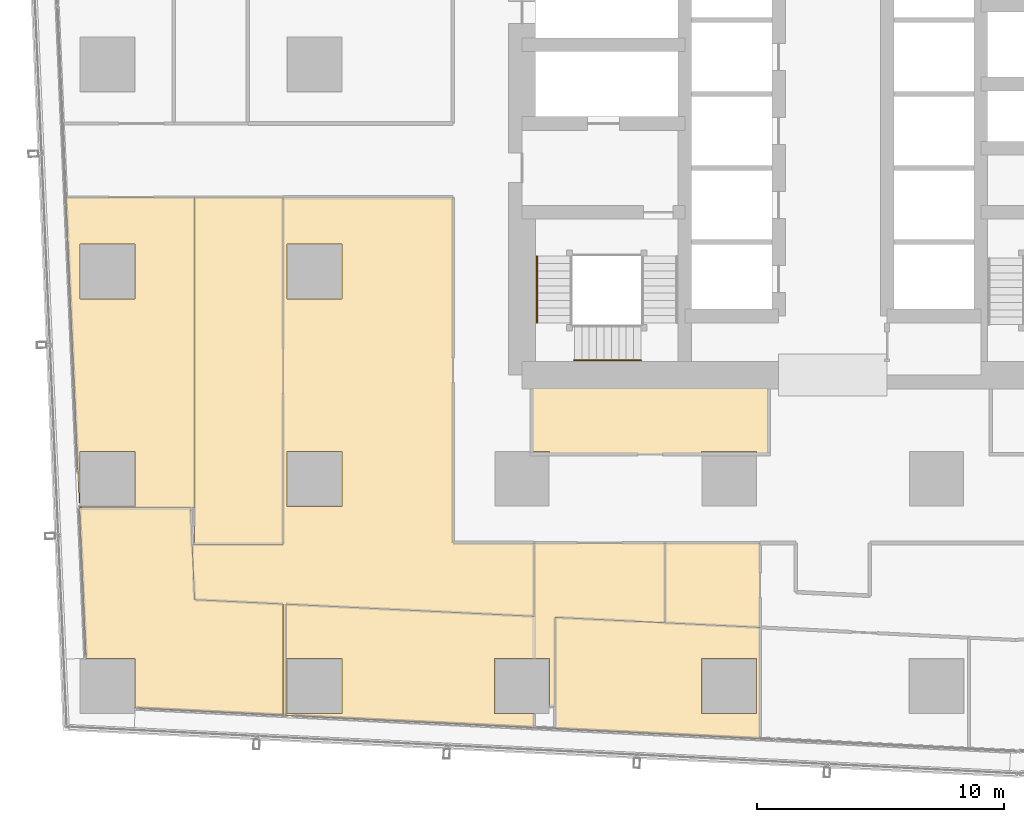
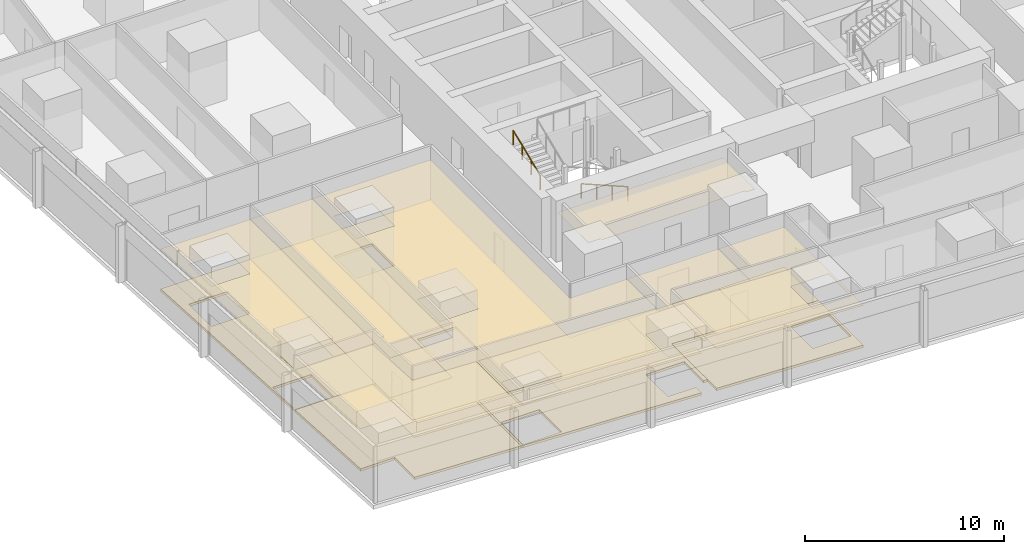
# One storey, part 37 of 45: 15 coverings, 2 railings.
"""IFC4 building model written with IfcOpenShell, lengths in metres."""

from ifc_helpers import new_model, si_unit, direction, frame, origin, origin_2d, place, context, subcontext, project, spatial, polyline, circle, outline, extrude, material, layer, layer_set, type_object, element, save


model = new_model("IFC4")

# Units and contexts
model_context = context("Model", 3, precision=1e-05, world=origin(), true_north=direction((0.0, 1.0)))
body_context = subcontext(model_context, "Body", "Model", "MODEL_VIEW")
ifc_project = project(units=[si_unit("LENGTHUNIT", "METRE"), si_unit("AREAUNIT", "SQUARE_METRE"), si_unit("VOLUMEUNIT", "CUBIC_METRE"), si_unit("PLANEANGLEUNIT", "RADIAN"), si_unit("MASSUNIT", "GRAM", prefix="KILO")], contexts=[model_context])

# Site, building, storey
site_placement = place(None, origin())
site = spatial("IfcSite", under=ifc_project, at=site_placement, CompositionType="ELEMENT")
building_placement = place(site_placement, origin())
building = spatial("IfcBuilding", under=site, at=building_placement, Name="Rekha Terrace Tower", CompositionType="ELEMENT")
storey_placement = place(building_placement, frame((0.0, 0.0, 32.89990234375)))
storey = spatial("IfcBuildingStorey", under=building, at=storey_placement, Name="L07", CompositionType="ELEMENT", Elevation=32.89990234375)

# Coverings
ifc_material_1 = material(Name="Mineral fibre tile in exposed grid", Category="finish")
ifc_layer_1 = layer(ifc_material_1, 0.02001953125)
ifc_layer_set_1 = layer_set([ifc_layer_1], Name="Mineral fibre tile in exposed grid")
covering_type_1 = type_object("IfcCoveringType", Name="CL1 600x1200 office grid ceiling", PredefinedType="CEILING", material=ifc_layer_set_1)
covering_1_placement = place(storey_placement, frame((0.0, 0.0, 2.580078125)))
element("IfcCovering", 1, at=covering_1_placement, inside=storey, type_object=covering_type_1, Name="Ceiling L07-06", PredefinedType="CEILING", context=body_context, shape_type="SweptSolid", body=[
    extrude(outline(polyline([(34.840087890625, 6.27392578125), (34.840087890625, 10.780029296875), (26.548095703125, 11.18701171875), (26.548095703125, 6.680908203125), (34.840087890625, 6.27392578125)]), holes=[polyline([(34.715087890625, 7.284912109375), (32.485107421875, 7.284912109375), (32.485107421875, 9.514892578125), (34.715087890625, 9.514892578125), (34.715087890625, 7.284912109375)])]), origin(), (0.0, 0.0, 1.0), 0.02001953125),
])
covering_2_placement = place(storey_placement, frame((0.0, 0.0, 2.580078125)))
element("IfcCovering", 2, at=covering_2_placement, inside=storey, type_object=covering_type_1, Name="Ceiling L07-07", PredefinedType="CEILING", context=body_context, shape_type="SweptSolid", body=[
    extrude(outline(polyline([(25.697021484375, 14.199951171875), (25.697021484375, 11.22900390625), (15.64306640625, 11.721923828125), (15.64306640625, 7.217041015625), (25.696044921875, 6.722900390625), (25.696044921875, 7.284912109375), (24.0849609375, 7.284912109375), (24.0849609375, 9.514892578125), (26.31494140625, 9.514892578125), (26.31494140625, 7.583984375), (26.548095703125, 7.583984375), (26.548095703125, 11.18701171875), (31.0, 10.968017578125), (31.0, 14.199951171875), (25.697021484375, 14.199951171875)]), holes=[polyline([(17.9150390625, 7.284912109375), (15.68505859375, 7.284912109375), (15.68505859375, 9.514892578125), (17.9150390625, 9.514892578125), (17.9150390625, 7.284912109375)])]), origin(), (0.0, 0.0, 1.0), 0.02001953125),
])
covering_3_placement = place(storey_placement, frame((0.0, 0.0, 2.580078125)))
element("IfcCovering", 3, at=covering_3_placement, inside=storey, type_object=covering_type_1, Name="Ceiling L07-08", PredefinedType="CEILING", context=body_context, shape_type="SweptSolid", body=[
    extrude(outline(polyline([(34.840087890625, 10.780029296875), (34.840087890625, 14.199951171875), (31.0, 14.199951171875), (31.0, 10.968017578125), (34.840087890625, 10.780029296875)])), origin(), (0.0, 0.0, 1.0), 0.02001953125),
])
covering_4_placement = place(storey_placement, frame((0.0, 0.0, 2.580078125)))
element("IfcCovering", 4, at=covering_4_placement, inside=storey, type_object=covering_type_1, Name="Ceiling L07-22", PredefinedType="CEILING", context=body_context, shape_type="SweptSolid", body=[
    extrude(outline(polyline([(7.258056640625, 15.820068359375), (7.284912109375, 15.821044921875), (7.284912109375, 17.9150390625), (9.514892578125, 17.9150390625), (9.514892578125, 15.68505859375), (7.263916015625, 15.68505859375), (7.26611328125, 15.64306640625), (11.93408203125, 15.64306640625), (11.93408203125, 28.199951171875), (6.717041015625, 28.199951171875), (6.79296875, 26.448974609375), (7.157958984375, 18.116943359375), (7.258056640625, 15.820068359375)]), holes=[polyline([(9.514892578125, 24.0849609375), (7.284912109375, 24.0849609375), (7.284912109375, 26.31494140625), (9.514892578125, 26.31494140625), (9.514892578125, 24.0849609375)])]), origin(), (0.0, 0.0, 1.0), 0.02001953125),
])
covering_5_placement = place(storey_placement, frame((0.0, 0.0, 2.580078125)))
element("IfcCovering", 5, at=covering_5_placement, inside=storey, type_object=covering_type_1, Name="Ceiling L07-23", PredefinedType="CEILING", context=body_context, shape_type="SweptSolid", body=[
    extrude(outline(polyline([(11.93408203125, 11.904052734375), (11.77001953125, 15.64306640625), (7.26611328125, 15.64306640625), (7.533935546875, 9.514892578125), (9.514892578125, 9.514892578125), (9.514892578125, 7.51806640625), (15.52392578125, 7.222900390625), (15.52392578125, 11.72802734375), (11.93408203125, 11.904052734375)])), origin(), (0.0, 0.0, 1.0), 0.02001953125),
])
covering_6_placement = place(storey_placement, frame((0.0, 0.0, 2.580078125)))
element("IfcCovering", 6, at=covering_6_placement, inside=storey, type_object=covering_type_1, Name="Ceiling L07-24", PredefinedType="CEILING", context=body_context, shape_type="SweptSolid", body=[
    extrude(outline(polyline([(11.93408203125, 14.14990234375), (15.52392578125, 14.14990234375), (15.52392578125, 28.199951171875), (11.93408203125, 28.199951171875), (11.93408203125, 14.14990234375)])), origin(), (0.0, 0.0, 1.0), 0.02001953125),
])
covering_7_placement = place(storey_placement, frame((0.0, 0.0, 2.580078125)))
element("IfcCovering", 7, at=covering_7_placement, inside=storey, type_object=covering_type_1, Name="Ceiling L07-O6", PredefinedType="CEILING", context=body_context, shape_type="SweptSolid", body=[
    extrude(outline(polyline([(15.52392578125, 28.199951171875), (15.52392578125, 14.14990234375), (11.8349609375, 14.14990234375), (11.93408203125, 11.904052734375), (15.52392578125, 11.72802734375), (15.52392578125, 7.222900390625), (15.64306640625, 7.217041015625), (15.64306640625, 11.721923828125), (25.697021484375, 11.22900390625), (25.697021484375, 14.199951171875), (22.39990234375, 14.199951171875), (22.39990234375, 28.199951171875), (15.52392578125, 28.199951171875)]), holes=[polyline([(17.9150390625, 15.68505859375), (15.68505859375, 15.68505859375), (15.68505859375, 17.9150390625), (17.9150390625, 17.9150390625), (17.9150390625, 15.68505859375)]), polyline([(17.9150390625, 24.0849609375), (15.68505859375, 24.0849609375), (15.68505859375, 26.31494140625), (17.9150390625, 26.31494140625), (17.9150390625, 24.0849609375)])]), origin(), (0.0, 0.0, 1.0), 0.02001953125),
])
ifc_material_2 = material(Name="Fibre cement board", Category="finish")
ifc_layer_2 = layer(ifc_material_2, 0.014892578125)
ifc_layer_set_2 = layer_set([ifc_layer_2], Name="Fibre cement board")
covering_type_2 = type_object("IfcCoveringType", Name="CL2 moisture-resistant board ceiling", PredefinedType="CEILING", material=ifc_layer_set_2)
covering_8_placement = place(storey_placement, frame((0.0, 0.0, 2.585205078125)))
element("IfcCovering", 8, at=covering_8_placement, inside=storey, type_object=covering_type_2, Name="Ceiling L07-WCM", PredefinedType="CEILING", context=body_context, shape_type="SweptSolid", body=[
    extrude(outline(polyline([(35.199951171875, 21.0), (25.60009765625, 21.0), (25.60009765625, 17.9150390625), (26.31494140625, 17.9150390625), (26.31494140625, 17.800048828125), (32.485107421875, 17.800048828125), (32.485107421875, 17.9150390625), (34.715087890625, 17.9150390625), (34.715087890625, 17.800048828125), (35.199951171875, 17.800048828125), (35.199951171875, 21.0)])), origin(), (0.0, 0.0, 1.0), 0.014892578125),
])

# Railings
ifc_material_3 = material(Name="Stainless steel tube", Category="steel")
railing_type = type_object("IfcRailingType", Name="HR1 900 stair handrail", PredefinedType="HANDRAIL", material=ifc_material_3)
railing_1_placement = place(storey_placement, frame((30.02490234375, 21.610107421875, 1.375)))
element("IfcRailing", 9, at=railing_1_placement, inside=storey, type_object=railing_type, Name="Handrail ST1 L07 flight 2", PredefinedType="HANDRAIL", context=body_context, shape_type="SweptSolid", body=[
    extrude(circle(Radius=0.02392578125, at=origin_2d()), frame((0.0, 0.0, 0.8759765625), z_axis=(-0.923074453586, 0.0, 0.384621311341), x_axis=(0.0, -1.0, 0.0)), (0.0, 0.0, 1.0), 2.925048828125),
    extrude(circle(Radius=0.02099609375, at=origin_2d()), origin(), (0.0, 0.0, 1.0), 0.851806640625),
    extrude(circle(Radius=0.02099609375, at=origin_2d()), frame((-0.89990234375, 0.0, 0.375)), (0.0, 0.0, 1.0), 0.851806640625),
    extrude(circle(Radius=0.02099609375, at=origin_2d()), frame((-1.800048828125, 0.0, 0.75)), (0.0, 0.0, 1.0), 0.851806640625),
    extrude(circle(Radius=0.02099609375, at=origin_2d()), frame((-2.699951171875, 0.0, 1.125)), (0.0, 0.0, 1.0), 0.851806640625),
])
railing_2_placement = place(storey_placement, frame((25.81005859375, 23.125, 2.625)))
element("IfcRailing", 10, at=railing_2_placement, inside=storey, type_object=railing_type, Name="Handrail ST1 L07 flight 3", PredefinedType="HANDRAIL", context=body_context, shape_type="SweptSolid", body=[
    extrude(circle(Radius=0.02392578125, at=origin_2d()), frame((0.0, 0.0, 0.8759765625), z_axis=(0.0, 0.923074453586, 0.384621311341), x_axis=(-1.0, 0.0, 0.0)), (0.0, 0.0, 1.0), 2.925048828125),
    extrude(circle(Radius=0.02099609375, at=origin_2d()), origin(), (0.0, 0.0, 1.0), 0.851806640625),
    extrude(circle(Radius=0.02099609375, at=origin_2d()), frame((0.0, 0.89990234375, 0.375)), (0.0, 0.0, 1.0), 0.851806640625),
    extrude(circle(Radius=0.02099609375, at=origin_2d()), frame((0.0, 1.800048828125, 0.75)), (0.0, 0.0, 1.0), 0.851806640625),
    extrude(circle(Radius=0.02099609375, at=origin_2d()), frame((0.0, 2.699951171875, 1.125)), (0.0, 0.0, 1.0), 0.851806640625),
])

# Coverings
ifc_material_4 = material(Name="Calcium sulphate panels on steel pedestals", Category="steel")
ifc_layer_3 = layer(ifc_material_4, 0.14990234375)
ifc_layer_set_3 = layer_set([ifc_layer_3], Name="Calcium sulphate panels on steel pedestals")
covering_type_3 = type_object("IfcCoveringType", Name="RF1 150 raised access floor", PredefinedType="FLOORING", material=ifc_layer_set_3)
covering_9_placement = place(storey_placement, origin())
element("IfcCovering", 11, at=covering_9_placement, inside=storey, type_object=covering_type_3, Name="Raised floor L07-06", PredefinedType="FLOORING", context=body_context, shape_type="SweptSolid", body=[
    extrude(outline(polyline([(34.840087890625, 6.27392578125), (34.840087890625, 10.780029296875), (26.548095703125, 11.18701171875), (26.548095703125, 6.680908203125), (34.840087890625, 6.27392578125)]), holes=[polyline([(34.715087890625, 7.284912109375), (32.485107421875, 7.284912109375), (32.485107421875, 9.514892578125), (34.715087890625, 9.514892578125), (34.715087890625, 7.284912109375)])]), origin(), (0.0, 0.0, 1.0), 0.150146484375),
])
covering_10_placement = place(storey_placement, origin())
element("IfcCovering", 12, at=covering_10_placement, inside=storey, type_object=covering_type_3, Name="Raised floor L07-07", PredefinedType="FLOORING", context=body_context, shape_type="SweptSolid", body=[
    extrude(outline(polyline([(25.697021484375, 14.199951171875), (25.697021484375, 11.22900390625), (15.64306640625, 11.721923828125), (15.64306640625, 7.217041015625), (25.696044921875, 6.722900390625), (25.696044921875, 7.284912109375), (24.0849609375, 7.284912109375), (24.0849609375, 9.514892578125), (26.31494140625, 9.514892578125), (26.31494140625, 7.583984375), (26.548095703125, 7.583984375), (26.548095703125, 11.18701171875), (31.0, 10.968017578125), (31.0, 14.199951171875), (25.697021484375, 14.199951171875)]), holes=[polyline([(17.9150390625, 7.284912109375), (15.68505859375, 7.284912109375), (15.68505859375, 9.514892578125), (17.9150390625, 9.514892578125), (17.9150390625, 7.284912109375)])]), origin(), (0.0, 0.0, 1.0), 0.150146484375),
])
covering_11_placement = place(storey_placement, origin())
element("IfcCovering", 13, at=covering_11_placement, inside=storey, type_object=covering_type_3, Name="Raised floor L07-08", PredefinedType="FLOORING", context=body_context, shape_type="SweptSolid", body=[
    extrude(outline(polyline([(34.840087890625, 10.780029296875), (34.840087890625, 14.199951171875), (31.0, 14.199951171875), (31.0, 10.968017578125), (34.840087890625, 10.780029296875)])), origin(), (0.0, 0.0, 1.0), 0.150146484375),
])
covering_12_placement = place(storey_placement, origin())
element("IfcCovering", 14, at=covering_12_placement, inside=storey, type_object=covering_type_3, Name="Raised floor L07-22", PredefinedType="FLOORING", context=body_context, shape_type="SweptSolid", body=[
    extrude(outline(polyline([(7.258056640625, 15.820068359375), (7.284912109375, 15.821044921875), (7.284912109375, 17.9150390625), (9.514892578125, 17.9150390625), (9.514892578125, 15.68505859375), (7.263916015625, 15.68505859375), (7.26611328125, 15.64306640625), (11.93408203125, 15.64306640625), (11.93408203125, 28.199951171875), (6.717041015625, 28.199951171875), (6.79296875, 26.448974609375), (7.157958984375, 18.116943359375), (7.258056640625, 15.820068359375)]), holes=[polyline([(9.514892578125, 24.0849609375), (7.284912109375, 24.0849609375), (7.284912109375, 26.31494140625), (9.514892578125, 26.31494140625), (9.514892578125, 24.0849609375)])]), origin(), (0.0, 0.0, 1.0), 0.150146484375),
])
covering_13_placement = place(storey_placement, origin())
element("IfcCovering", 15, at=covering_13_placement, inside=storey, type_object=covering_type_3, Name="Raised floor L07-23", PredefinedType="FLOORING", context=body_context, shape_type="SweptSolid", body=[
    extrude(outline(polyline([(11.93408203125, 11.904052734375), (11.77001953125, 15.64306640625), (7.26611328125, 15.64306640625), (7.533935546875, 9.514892578125), (9.514892578125, 9.514892578125), (9.514892578125, 7.51806640625), (15.52392578125, 7.222900390625), (15.52392578125, 11.72802734375), (11.93408203125, 11.904052734375)])), origin(), (0.0, 0.0, 1.0), 0.150146484375),
])
covering_14_placement = place(storey_placement, origin())
element("IfcCovering", 16, at=covering_14_placement, inside=storey, type_object=covering_type_3, Name="Raised floor L07-24", PredefinedType="FLOORING", context=body_context, shape_type="SweptSolid", body=[
    extrude(outline(polyline([(11.93408203125, 14.14990234375), (15.52392578125, 14.14990234375), (15.52392578125, 28.199951171875), (11.93408203125, 28.199951171875), (11.93408203125, 14.14990234375)])), origin(), (0.0, 0.0, 1.0), 0.150146484375),
])
covering_15_placement = place(storey_placement, origin())
element("IfcCovering", 17, at=covering_15_placement, inside=storey, type_object=covering_type_3, Name="Raised floor L07-O6", PredefinedType="FLOORING", context=body_context, shape_type="SweptSolid", body=[
    extrude(outline(polyline([(15.52392578125, 28.199951171875), (15.52392578125, 14.14990234375), (11.8349609375, 14.14990234375), (11.93408203125, 11.904052734375), (15.52392578125, 11.72802734375), (15.52392578125, 7.222900390625), (15.64306640625, 7.217041015625), (15.64306640625, 11.721923828125), (25.697021484375, 11.22900390625), (25.697021484375, 14.199951171875), (22.39990234375, 14.199951171875), (22.39990234375, 28.199951171875), (15.52392578125, 28.199951171875)]), holes=[polyline([(17.9150390625, 15.68505859375), (15.68505859375, 15.68505859375), (15.68505859375, 17.9150390625), (17.9150390625, 17.9150390625), (17.9150390625, 15.68505859375)]), polyline([(17.9150390625, 24.0849609375), (15.68505859375, 24.0849609375), (15.68505859375, 26.31494140625), (17.9150390625, 26.31494140625), (17.9150390625, 24.0849609375)])]), origin(), (0.0, 0.0, 1.0), 0.150146484375),
])

save(model, "model.ifc")
